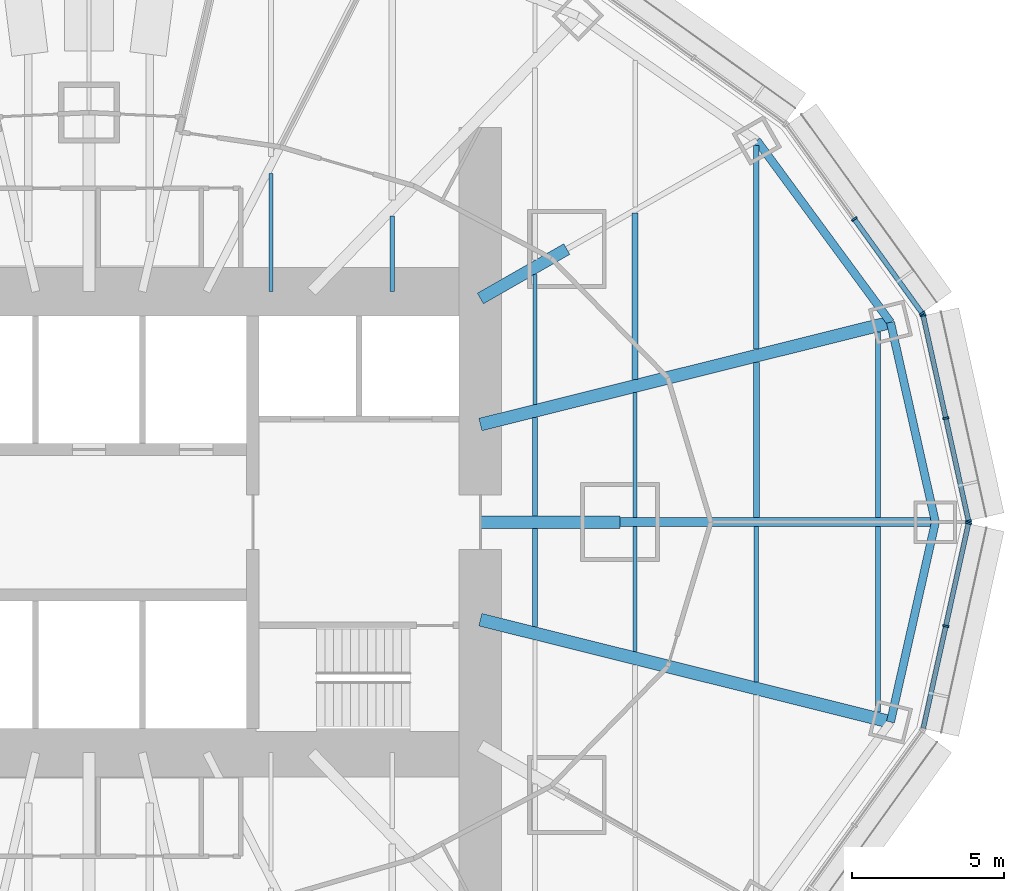
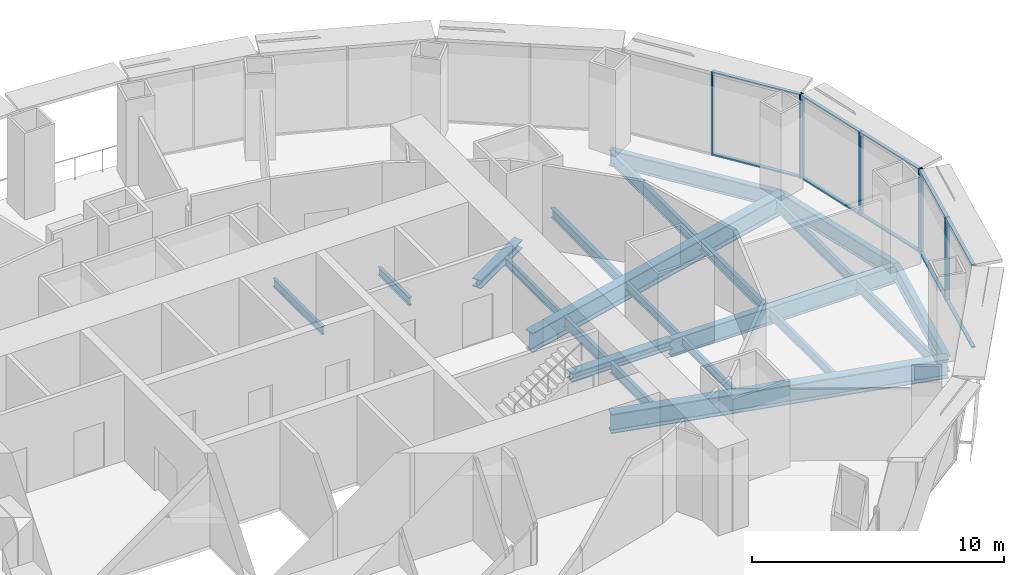
# One storey, part 6 of 17: 21 beams, 17 members, 3 elements without a shape of their own.
"""IFC4 building model written with IfcOpenShell, lengths in metres."""

from ifc_helpers import new_model, si_unit, direction, frame, origin, origin_2d, place, context, subcontext, project, spatial, rectangle, i_section, extrude, material, material_profile, profile_set, type_object, element, aggregate, save


model = new_model("IFC4")

# Units and contexts
model_context = context("Model", 3, precision=1e-05, world=origin(), true_north=direction((0.0, 1.0)))
body_context = subcontext(model_context, "Body", "Model", "MODEL_VIEW")
ifc_project = project(units=[si_unit("LENGTHUNIT", "METRE"), si_unit("AREAUNIT", "SQUARE_METRE"), si_unit("VOLUMEUNIT", "CUBIC_METRE"), si_unit("PLANEANGLEUNIT", "RADIAN"), si_unit("MASSUNIT", "GRAM", prefix="KILO")], contexts=[model_context])

# Site, building, storey
site_placement = place(None, origin())
site = spatial("IfcSite", under=ifc_project, at=site_placement, CompositionType="ELEMENT")
building_placement = place(site_placement, origin())
building = spatial("IfcBuilding", under=site, at=building_placement, Name="Lantaw Convention Tower", CompositionType="ELEMENT")
storey_placement = place(building_placement, frame((0.0, 0.0, 151.0)))
storey = spatial("IfcBuildingStorey", under=building, at=storey_placement, Name="L35", CompositionType="ELEMENT", Elevation=151.0)

# Beams
ifc_material_1 = material(Name="Steel ASTM A992", Category="steel")
ifc_material_profile_1 = material_profile(ifc_material_1, i_section(OverallWidth=0.2666015625, OverallDepth=0.76953125, WebThickness=0.015625, FlangeThickness=0.025390625, FilletRadius=0.0126953125, at=origin_2d()), Name="W30X132")
ifc_profile_set_1 = profile_set([ifc_material_profile_1], Name="Steel ASTM A992")
beam_type_1 = type_object("IfcBeamType", Name="Beam E W30X132", PredefinedType="SPANDREL", material=ifc_profile_set_1)
beam_1_placement = place(storey_placement, frame((27.89990234375, 0.0, -0.534912109375), z_axis=(-0.219211877447, 0.975677279015, 0.0), x_axis=(-0.975677279015, -0.219211877447, 0.0)))
element("IfcBeam", 1, at=beam_1_placement, inside=storey, type_object=beam_type_1, Name="Edge beam 1", PredefinedType="SPANDREL", context=body_context, shape_type="SweptSolid", body=[
    extrude(i_section(OverallWidth=0.2666015625, OverallDepth=0.76953125, WebThickness=0.015625, FlangeThickness=0.025390625, FilletRadius=0.0126953125, at=origin_2d()), origin(), (0.0, 0.0, 1.0), 6.75146484375),
])
beam_2_placement = place(storey_placement, frame((26.419921875, 6.587158203125, -0.534912109375), z_axis=(-0.5923891972, 0.805651934176, 0.0), x_axis=(-0.805651934176, -0.5923891972, 0.0)))
element("IfcBeam", 2, at=beam_2_placement, inside=storey, type_object=beam_type_1, Name="Edge beam 2", PredefinedType="SPANDREL", context=body_context, shape_type="SweptSolid", body=[
    extrude(i_section(OverallWidth=0.2666015625, OverallDepth=0.76953125, WebThickness=0.015625, FlangeThickness=0.025390625, FilletRadius=0.0126953125, at=origin_2d()), origin(), (0.0, 0.0, 1.0), 7.437744140625),
])
beam_3_placement = place(storey_placement, frame((26.419921875, -6.587158203125, -0.534912109375), z_axis=(0.219211877447, 0.975677279015, 0.0), x_axis=(-0.975677279015, 0.219211877447, 0.0)))
element("IfcBeam", 3, at=beam_3_placement, inside=storey, type_object=beam_type_1, Name="Edge beam 24", PredefinedType="SPANDREL", context=body_context, shape_type="SweptSolid", body=[
    extrude(i_section(OverallWidth=0.2666015625, OverallDepth=0.76953125, WebThickness=0.015625, FlangeThickness=0.025390625, FilletRadius=0.0126953125, at=origin_2d()), origin(), (0.0, 0.0, 1.0), 6.75146484375),
])
ifc_material_profile_2 = material_profile(ifc_material_1, i_section(OverallWidth=0.2919921875, OverallDepth=0.845703125, WebThickness=0.015380859375, FlangeThickness=0.0244140625, FilletRadius=0.01513671875, at=origin_2d()), Name="W33X141")
ifc_profile_set_2 = profile_set([ifc_material_profile_2], Name="Steel ASTM A992")
beam_type_2 = type_object("IfcBeamType", Name="Beam G W33X141", PredefinedType="BEAM", material=ifc_profile_set_2)
beam_4_placement = place(storey_placement, frame((17.5, 0.0, -0.572998046875), z_axis=(1.0, 0.0, 0.0), x_axis=(0.0, 1.0, 0.0)))
element("IfcBeam", 4, at=beam_4_placement, inside=storey, type_object=beam_type_2, Name="Floor girder on ray 1", PredefinedType="BEAM", context=body_context, shape_type="SweptSolid", body=[
    extrude(i_section(OverallWidth=0.2919921875, OverallDepth=0.845703125, WebThickness=0.015380859375, FlangeThickness=0.0244140625, FilletRadius=0.01513671875, at=origin_2d()), origin(), (0.0, 0.0, 1.0), 10.39990234375),
])
ifc_material_profile_3 = material_profile(ifc_material_1, i_section(OverallWidth=0.421630859375, OverallDepth=0.937255859375, WebThickness=0.0224609375, FlangeThickness=0.039794921875, FilletRadius=0.02001953125, at=origin_2d()), Name="W36X282")
ifc_profile_set_3 = profile_set([ifc_material_profile_3], Name="Steel ASTM A992")
beam_type_3 = type_object("IfcBeamType", Name="Beam G W36X282", PredefinedType="BEAM", material=ifc_profile_set_3)
for number, where, z_axis, x_axis, name in (
    (5, (12.89990234375, 3.21630859375, -0.61865234375), (0.970296903132, 0.24191717544, 0.0), (-0.24191717544, 0.970296903132, 0.0), "Floor girder on ray 2"),
    (6, (12.89990234375, -3.21630859375, -0.61865234375), (0.970296903132, -0.24191717544, 0.0), (0.24191717544, 0.970296903132, 0.0), "Floor girder on ray 24"),
):
    element("IfcBeam", number, at=place(storey_placement, frame(where, z_axis=z_axis, x_axis=x_axis)), inside=storey, type_object=beam_type_3, Name=name, PredefinedType="BEAM", context=body_context, shape_type="SweptSolid", body=[
        extrude(i_section(OverallWidth=0.421630859375, OverallDepth=0.937255859375, WebThickness=0.0224609375, FlangeThickness=0.039794921875, FilletRadius=0.02001953125, at=origin_2d()), origin(), (0.0, 0.0, 1.0), 13.933837890625),
    ])
ifc_material_profile_4 = material_profile(ifc_material_1, i_section(OverallWidth=0.40380859375, OverallDepth=0.406494140625, WebThickness=0.027099609375, FlangeThickness=0.043701171875, FilletRadius=0.01513671875, at=origin_2d()), Name="W14X233")
ifc_profile_set_4 = profile_set([ifc_material_profile_4], Name="Steel ASTM A992")
beam_type_4 = type_object("IfcBeamType", Name="Beam GM W14X233", PredefinedType="BEAM", material=ifc_profile_set_4)
beam_5_placement = place(storey_placement, frame((12.89990234375, 0.0, -0.353271484375), z_axis=(1.0, 0.0, 0.0), x_axis=(0.0, 1.0, 0.0)))
element("IfcBeam", 7, at=beam_5_placement, inside=storey, type_object=beam_type_4, Name="Core link beam on ray 1", PredefinedType="BEAM", context=body_context, shape_type="SweptSolid", body=[
    extrude(i_section(OverallWidth=0.40380859375, OverallDepth=0.406494140625, WebThickness=0.027099609375, FlangeThickness=0.043701171875, FilletRadius=0.01513671875, at=origin_2d()), origin(), (0.0, 0.0, 1.0), 4.60009765625),
])
beam_6_placement = place(storey_placement, frame((12.89990234375, 7.371337890625, -0.353271484375), z_axis=(0.868238565244, 0.496146947811, 0.0), x_axis=(-0.496146947811, 0.868238565244, 0.0)))
element("IfcBeam", 8, at=beam_6_placement, inside=storey, type_object=beam_type_4, Name="Core link beam on ray 3", PredefinedType="BEAM", context=body_context, shape_type="SweptSolid", body=[
    extrude(i_section(OverallWidth=0.40380859375, OverallDepth=0.406494140625, WebThickness=0.027099609375, FlangeThickness=0.043701171875, FilletRadius=0.01513671875, at=origin_2d()), origin(), (0.0, 0.0, 1.0), 3.28271484375),
])
ifc_material_profile_5 = material_profile(ifc_material_1, i_section(OverallWidth=0.140380859375, OverallDepth=0.40380859375, WebThickness=0.007080078125, FlangeThickness=0.01123046875, FilletRadius=0.01025390625, at=origin_2d()), Name="W16X31")
ifc_profile_set_5 = profile_set([ifc_material_profile_5], Name="Steel ASTM A992")
beam_type_5 = type_object("IfcBeamType", Name="Beam J W16X31", PredefinedType="JOIST", material=ifc_profile_set_5)
beam_7_placement = place(storey_placement, frame((6.0, 7.60009765625, -0.35205078125), z_axis=(0.0, 1.0, 0.0), x_axis=(-1.0, 0.0, 0.0)))
element("IfcBeam", 9, at=beam_7_placement, inside=storey, type_object=beam_type_5, Name="Floor joist", PredefinedType="JOIST", context=body_context, shape_type="SweptSolid", body=[
    extrude(i_section(OverallWidth=0.140380859375, OverallDepth=0.40380859375, WebThickness=0.007080078125, FlangeThickness=0.01123046875, FilletRadius=0.01025390625, at=origin_2d()), origin(), (0.0, 0.0, 1.0), 3.895751953125),
])
beam_8_placement = place(storey_placement, frame((10.0, 7.60009765625, -0.35205078125), z_axis=(0.0, 1.0, 0.0), x_axis=(-1.0, 0.0, 0.0)))
element("IfcBeam", 10, at=beam_8_placement, inside=storey, type_object=beam_type_5, Name="Floor joist", PredefinedType="JOIST", context=body_context, shape_type="SweptSolid", body=[
    extrude(i_section(OverallWidth=0.140380859375, OverallDepth=0.40380859375, WebThickness=0.007080078125, FlangeThickness=0.01123046875, FilletRadius=0.01025390625, at=origin_2d()), origin(), (0.0, 0.0, 1.0), 2.49560546875),
])
beam_9_placement = place(storey_placement, frame((14.699951171875, 3.88232421875, -0.35205078125), z_axis=(0.0, 1.0, 0.0), x_axis=(-1.0, 0.0, 0.0)))
element("IfcBeam", 11, at=beam_9_placement, inside=storey, type_object=beam_type_5, Name="Floor joist", PredefinedType="JOIST", context=body_context, shape_type="SweptSolid", body=[
    extrude(i_section(OverallWidth=0.140380859375, OverallDepth=0.40380859375, WebThickness=0.007080078125, FlangeThickness=0.01123046875, FilletRadius=0.01025390625, at=origin_2d()), origin(), (0.0, 0.0, 1.0), 4.28515625),
])
for number, where, z_axis, x_axis, name in (
    (12, (18.0, -4.270751953125, -0.35205078125), (0.0, 1.0, 0.0), (-1.0, 0.0, 0.0), "Floor joist"),
    (13, (18.0, 0.14599609375, -0.35205078125), (0.0, 1.0, 0.0), (-1.0, 0.0, 0.0), "Floor joist"),
):
    element("IfcBeam", number, at=place(storey_placement, frame(where, z_axis=z_axis, x_axis=x_axis)), inside=storey, type_object=beam_type_5, Name=name, PredefinedType="JOIST", context=body_context, shape_type="SweptSolid", body=[
        extrude(i_section(OverallWidth=0.140380859375, OverallDepth=0.40380859375, WebThickness=0.007080078125, FlangeThickness=0.01123046875, FilletRadius=0.01025390625, at=origin_2d()), origin(), (0.0, 0.0, 1.0), 4.124755859375),
    ])
ifc_material_profile_6 = material_profile(ifc_material_1, i_section(OverallWidth=0.15234375, OverallDepth=0.449462890625, WebThickness=0.007568359375, FlangeThickness=0.0107421875, FilletRadius=0.01025390625, at=origin_2d()), Name="W18X35")
ifc_profile_set_6 = profile_set([ifc_material_profile_6], Name="Steel ASTM A992")
beam_type_6 = type_object("IfcBeamType", Name="Beam J W18X35", PredefinedType="JOIST", material=ifc_profile_set_6)
beam_10_placement = place(storey_placement, frame((22.0, -5.267822265625, -0.374755859375), z_axis=(0.0, 1.0, 0.0), x_axis=(-1.0, 0.0, 0.0)))
element("IfcBeam", 14, at=beam_10_placement, inside=storey, type_object=beam_type_6, Name="Floor joist", PredefinedType="JOIST", context=body_context, shape_type="SweptSolid", body=[
    extrude(i_section(OverallWidth=0.15234375, OverallDepth=0.449462890625, WebThickness=0.007568359375, FlangeThickness=0.0107421875, FilletRadius=0.01025390625, at=origin_2d()), origin(), (0.0, 0.0, 1.0), 5.121826171875),
])
ifc_material_profile_7 = material_profile(ifc_material_1, i_section(OverallWidth=0.1904296875, OverallDepth=0.457275390625, WebThickness=0.009033203125, FlangeThickness=0.014404296875, FilletRadius=0.01025390625, at=origin_2d()), Name="W18X50")
ifc_profile_set_7 = profile_set([ifc_material_profile_7], Name="Steel ASTM A992")
beam_type_7 = type_object("IfcBeamType", Name="Beam J W18X50", PredefinedType="JOIST", material=ifc_profile_set_7)
beam_11_placement = place(storey_placement, frame((18.0, 4.705078125, -0.378662109375), z_axis=(0.0, 1.0, 0.0), x_axis=(-1.0, 0.0, 0.0)))
element("IfcBeam", 15, at=beam_11_placement, inside=storey, type_object=beam_type_7, Name="Floor joist", PredefinedType="JOIST", context=body_context, shape_type="SweptSolid", body=[
    extrude(i_section(OverallWidth=0.1904296875, OverallDepth=0.457275390625, WebThickness=0.009033203125, FlangeThickness=0.014404296875, FilletRadius=0.01025390625, at=origin_2d()), origin(), (0.0, 0.0, 1.0), 5.47802734375),
])
beam_12_placement = place(storey_placement, frame((22.0, 0.14599609375, -0.378662109375), z_axis=(0.0, 1.0, 0.0), x_axis=(-1.0, 0.0, 0.0)))
element("IfcBeam", 16, at=beam_12_placement, inside=storey, type_object=beam_type_7, Name="Floor joist", PredefinedType="JOIST", context=body_context, shape_type="SweptSolid", body=[
    extrude(i_section(OverallWidth=0.1904296875, OverallDepth=0.457275390625, WebThickness=0.009033203125, FlangeThickness=0.014404296875, FilletRadius=0.01025390625, at=origin_2d()), origin(), (0.0, 0.0, 1.0), 5.121826171875),
])
ifc_material_profile_8 = material_profile(ifc_material_1, i_section(OverallWidth=0.1650390625, OverallDepth=0.52587890625, WebThickness=0.0087890625, FlangeThickness=0.011474609375, FilletRadius=0.0126953125, at=origin_2d()), Name="W21X44")
ifc_profile_set_8 = profile_set([ifc_material_profile_8], Name="Steel ASTM A992")
beam_type_8 = type_object("IfcBeamType", Name="Beam J W21X44", PredefinedType="JOIST", material=ifc_profile_set_8)
for number, where, z_axis, x_axis, name in (
    (17, (26.0, -6.26513671875, -0.412841796875), (0.0, 1.0, 0.0), (-1.0, 0.0, 0.0), "Floor joist"),
    (18, (26.0, 0.14599609375, -0.412841796875), (0.0, 1.0, 0.0), (-1.0, 0.0, 0.0), "Floor joist"),
):
    element("IfcBeam", number, at=place(storey_placement, frame(where, z_axis=z_axis, x_axis=x_axis)), inside=storey, type_object=beam_type_8, Name=name, PredefinedType="JOIST", context=body_context, shape_type="SweptSolid", body=[
        extrude(i_section(OverallWidth=0.1650390625, OverallDepth=0.52587890625, WebThickness=0.0087890625, FlangeThickness=0.011474609375, FilletRadius=0.0126953125, at=origin_2d()), origin(), (0.0, 0.0, 1.0), 6.119140625),
    ])
ifc_material_profile_9 = material_profile(ifc_material_1, i_section(OverallWidth=0.165771484375, OverallDepth=0.5283203125, WebThickness=0.009765625, FlangeThickness=0.013671875, FilletRadius=0.012939453125, at=origin_2d()), Name="W21X50")
ifc_profile_set_9 = profile_set([ifc_material_profile_9], Name="Steel ASTM A992")
beam_type_9 = type_object("IfcBeamType", Name="Beam J W21X50", PredefinedType="JOIST", material=ifc_profile_set_9)
for number, where, z_axis, x_axis, name in (
    (19, (14.699951171875, -3.44775390625, -0.4140625), (0.0, 1.0, 0.0), (-1.0, 0.0, 0.0), "Floor joist"),
    (20, (14.699951171875, 0.201904296875, -0.4140625), (0.0, 1.0, 0.0), (-1.0, 0.0, 0.0), "Floor joist"),
):
    element("IfcBeam", number, at=place(storey_placement, frame(where, z_axis=z_axis, x_axis=x_axis)), inside=storey, type_object=beam_type_9, Name=name, PredefinedType="JOIST", context=body_context, shape_type="SweptSolid", body=[
        extrude(i_section(OverallWidth=0.165771484375, OverallDepth=0.5283203125, WebThickness=0.009765625, FlangeThickness=0.013671875, FilletRadius=0.012939453125, at=origin_2d()), origin(), (0.0, 0.0, 1.0), 3.245849609375),
    ])
ifc_material_profile_10 = material_profile(ifc_material_1, i_section(OverallWidth=0.177978515625, OverallDepth=0.599365234375, WebThickness=0.010009765625, FlangeThickness=0.012939453125, FilletRadius=0.012939453125, at=origin_2d()), Name="W24X55")
ifc_profile_set_10 = profile_set([ifc_material_profile_10], Name="Steel ASTM A992")
beam_type_10 = type_object("IfcBeamType", Name="Beam J W24X55", PredefinedType="JOIST", material=ifc_profile_set_10)
beam_13_placement = place(storey_placement, frame((22.0, 5.702392578125, -0.44970703125), z_axis=(0.0, 1.0, 0.0), x_axis=(-1.0, 0.0, 0.0)))
element("IfcBeam", 21, at=beam_13_placement, inside=storey, type_object=beam_type_10, Name="Floor joist", PredefinedType="JOIST", context=body_context, shape_type="SweptSolid", body=[
    extrude(i_section(OverallWidth=0.177978515625, OverallDepth=0.599365234375, WebThickness=0.010009765625, FlangeThickness=0.012939453125, FilletRadius=0.012939453125, at=origin_2d()), origin(), (0.0, 0.0, 1.0), 6.70654296875),
])

# Curtain wall, members
ifc_material_2 = material(Name="Aluminium framed curtain wall", Category="aluminium")
curtain_wall_type = type_object("IfcCurtainWallType", Name="Office curtain wall low rise, pale aluminium", PredefinedType="USERDEFINED", material=ifc_material_2)
curtain_wall_1_placement = place(storey_placement, origin())
curtain_wall_1 = element("IfcCurtainWall", 22, at=curtain_wall_1_placement, inside=storey, type_object=curtain_wall_type, Name="Office curtain wall low rise, pale aluminium L35", ObjectType="UNITISED CURTAIN WALL", PredefinedType="USERDEFINED")
ifc_material_3 = material(Name="Aluminium 6063-T6", Category="aluminium")
ifc_material_profile_11 = material_profile(ifc_material_3, rectangle(XDim=0.199951171875, YDim=0.06494140625, at=origin_2d()), Name="CW-O1 mullion 65x200")
ifc_profile_set_11 = profile_set([ifc_material_profile_11], Name="Aluminium 6063-T6")
member_type_1 = type_object("IfcMemberType", Name="CW-O1 mullion 65x200", PredefinedType="MULLION", material=ifc_profile_set_11)
member_1_placement = place(storey_placement, frame((28.992919921875, 0.03173828125, 0.0), z_axis=(0.0, 0.0, 1.0), x_axis=(-0.9764936509, -0.215546166174, 0.0)))
member_1 = element("IfcMember", 23, at=member_1_placement, type_object=member_type_1, Name="CW-O1 mullion 1", PredefinedType="MULLION", context=body_context, shape_type="SweptSolid", body=[
    extrude(rectangle(XDim=0.199951171875, YDim=0.06494140625, at=origin_2d()), origin(), (0.0, 0.0, 1.0), 4.050048828125),
])
member_2_placement = place(storey_placement, frame((28.24365234375, 3.4267578125, 0.0), z_axis=(0.0, 0.0, 1.0), x_axis=(-0.9764936509, -0.215546166174, 0.0)))
member_2 = element("IfcMember", 24, at=member_2_placement, type_object=member_type_1, Name="CW-O1 mullion 2", PredefinedType="MULLION", context=body_context, shape_type="SweptSolid", body=[
    extrude(rectangle(XDim=0.199951171875, YDim=0.06494140625, at=origin_2d()), origin(), (0.0, 0.0, 1.0), 4.050048828125),
])
member_3_placement = place(storey_placement, frame((27.494140625, 6.821533203125, 0.0), z_axis=(0.0, 0.0, 1.0), x_axis=(-0.9764936509, -0.215546166174, 0.0)))
member_3 = element("IfcMember", 25, at=member_3_placement, type_object=member_type_1, Name="CW-O1 mullion 3", PredefinedType="MULLION", context=body_context, shape_type="SweptSolid", body=[
    extrude(rectangle(XDim=0.199951171875, YDim=0.06494140625, at=origin_2d()), origin(), (0.0, 0.0, 1.0), 4.050048828125),
])

curtain_wall_2_placement = place(storey_placement, origin())
curtain_wall_2 = element("IfcCurtainWall", 26, at=curtain_wall_2_placement, inside=storey, type_object=curtain_wall_type, Name="Office curtain wall low rise, pale aluminium L35", ObjectType="UNITISED CURTAIN WALL", PredefinedType="USERDEFINED")
member_4_placement = place(storey_placement, frame((27.46826171875, 6.879638671875, 0.0), z_axis=(0.0, 0.0, 1.0), x_axis=(-0.811384633629, -0.584512597221, 0.0)))
member_4 = element("IfcMember", 27, at=member_4_placement, type_object=member_type_1, Name="CW-O1 mullion 1", PredefinedType="MULLION", context=body_context, shape_type="SweptSolid", body=[
    extrude(rectangle(XDim=0.199951171875, YDim=0.06494140625, at=origin_2d()), origin(), (0.0, 0.0, 1.0), 4.050048828125),
])
member_5_placement = place(storey_placement, frame((25.22802734375, 9.9892578125, 0.0), z_axis=(0.0, 0.0, 1.0), x_axis=(-0.811384633629, -0.584512597221, 0.0)))
member_5 = element("IfcMember", 28, at=member_5_placement, type_object=member_type_1, Name="CW-O1 mullion 2", PredefinedType="MULLION", context=body_context, shape_type="SweptSolid", body=[
    extrude(rectangle(XDim=0.199951171875, YDim=0.06494140625, at=origin_2d()), origin(), (0.0, 0.0, 1.0), 4.050048828125),
])

curtain_wall_3_placement = place(storey_placement, origin())
curtain_wall_3 = element("IfcCurtainWall", 29, at=curtain_wall_3_placement, inside=storey, type_object=curtain_wall_type, Name="Office curtain wall low rise, pale aluminium L35", ObjectType="UNITISED CURTAIN WALL", PredefinedType="USERDEFINED")
member_6_placement = place(storey_placement, frame((28.24365234375, -3.4267578125, 0.0), z_axis=(0.0, 0.0, 1.0), x_axis=(-0.9764936509, 0.215546166174, 0.0)))
member_6 = element("IfcMember", 30, at=member_6_placement, type_object=member_type_1, Name="CW-O1 mullion 2", PredefinedType="MULLION", context=body_context, shape_type="SweptSolid", body=[
    extrude(rectangle(XDim=0.199951171875, YDim=0.06494140625, at=origin_2d()), origin(), (0.0, 0.0, 1.0), 4.050048828125),
])
member_7_placement = place(storey_placement, frame((28.992919921875, -0.03173828125, 0.0), z_axis=(0.0, 0.0, 1.0), x_axis=(-0.9764936509, 0.215546166174, 0.0)))
member_7 = element("IfcMember", 31, at=member_7_placement, type_object=member_type_1, Name="CW-O1 mullion 3", PredefinedType="MULLION", context=body_context, shape_type="SweptSolid", body=[
    extrude(rectangle(XDim=0.199951171875, YDim=0.06494140625, at=origin_2d()), origin(), (0.0, 0.0, 1.0), 4.050048828125),
])

# Member
ifc_material_profile_12 = material_profile(ifc_material_3, rectangle(XDim=0.159912109375, YDim=0.06494140625, at=origin_2d()), Name="CW-O1 transom 65x160")
ifc_profile_set_12 = profile_set([ifc_material_profile_12], Name="Aluminium 6063-T6")
member_type_2 = type_object("IfcMemberType", Name="CW-O1 transom 65x160", PredefinedType="USERDEFINED", material=ifc_profile_set_12)
member_8_placement = place(storey_placement, frame((28.986083984375, 0.0634765625, 0.032470703125), z_axis=(-0.215536096386, 0.976495873598, 0.0), x_axis=(-0.976495873598, -0.215536096386, 0.0)))
member_8 = element("IfcMember", 32, at=member_8_placement, type_object=member_type_2, Name="CW-O1 transom 1.1", ObjectType="TRANSOM", PredefinedType="USERDEFINED", context=body_context, shape_type="SweptSolid", body=[
    extrude(rectangle(XDim=0.159912109375, YDim=0.06494140625, at=origin_2d()), origin(), (0.0, 0.0, 1.0), 3.41162109375),
])

member_9_placement = place(storey_placement, frame((28.986083984375, 0.0634765625, 4.017578125), z_axis=(-0.215536096386, 0.976495873598, 0.0), x_axis=(-0.976495873598, -0.215536096386, 0.0)))
member_9 = element("IfcMember", 33, at=member_9_placement, type_object=member_type_2, Name="CW-O1 transom 1.2", ObjectType="TRANSOM", PredefinedType="USERDEFINED", context=body_context, shape_type="SweptSolid", body=[
    extrude(rectangle(XDim=0.159912109375, YDim=0.06494140625, at=origin_2d()), origin(), (0.0, 0.0, 1.0), 3.41162109375),
])

member_10_placement = place(storey_placement, frame((28.236572265625, 3.45849609375, 0.032470703125), z_axis=(-0.21555115847, 0.976492548913, 0.0), x_axis=(-0.976492548913, -0.21555115847, 0.0)))
member_10 = element("IfcMember", 34, at=member_10_placement, type_object=member_type_2, Name="CW-O1 transom 2.1", ObjectType="TRANSOM", PredefinedType="USERDEFINED", context=body_context, shape_type="SweptSolid", body=[
    extrude(rectangle(XDim=0.159912109375, YDim=0.06494140625, at=origin_2d()), origin(), (0.0, 0.0, 1.0), 3.411376953125),
])

member_11_placement = place(storey_placement, frame((28.236572265625, 3.45849609375, 4.017578125), z_axis=(-0.21555115847, 0.976492548913, 0.0), x_axis=(-0.976492548913, -0.21555115847, 0.0)))
member_11 = element("IfcMember", 35, at=member_11_placement, type_object=member_type_2, Name="CW-O1 transom 2.2", ObjectType="TRANSOM", PredefinedType="USERDEFINED", context=body_context, shape_type="SweptSolid", body=[
    extrude(rectangle(XDim=0.159912109375, YDim=0.06494140625, at=origin_2d()), origin(), (0.0, 0.0, 1.0), 3.411376953125),
])

aggregate(curtain_wall_1, [member_1, member_2, member_3, member_8, member_9, member_10, member_11])

member_12_placement = place(storey_placement, frame((27.44921875, 6.906005859375, 0.032470703125), z_axis=(-0.584512973979, 0.811384362217, 0.0), x_axis=(-0.811384362217, -0.584512973979, 0.0)))
member_12 = element("IfcMember", 36, at=member_12_placement, type_object=member_type_2, Name="CW-O1 transom 1.1", ObjectType="TRANSOM", PredefinedType="USERDEFINED", context=body_context, shape_type="SweptSolid", body=[
    extrude(rectangle(XDim=0.159912109375, YDim=0.06494140625, at=origin_2d()), origin(), (0.0, 0.0, 1.0), 3.767578125),
])

member_13_placement = place(storey_placement, frame((27.44921875, 6.906005859375, 4.017578125), z_axis=(-0.584512973979, 0.811384362217, 0.0), x_axis=(-0.811384362217, -0.584512973979, 0.0)))
member_13 = element("IfcMember", 37, at=member_13_placement, type_object=member_type_2, Name="CW-O1 transom 1.2", ObjectType="TRANSOM", PredefinedType="USERDEFINED", context=body_context, shape_type="SweptSolid", body=[
    extrude(rectangle(XDim=0.159912109375, YDim=0.06494140625, at=origin_2d()), origin(), (0.0, 0.0, 1.0), 3.767578125),
])

aggregate(curtain_wall_2, [member_4, member_5, member_12, member_13])

member_14_placement = place(storey_placement, frame((27.501220703125, -6.789794921875, 0.032470703125), z_axis=(0.21555115847, 0.976492548913, 0.0), x_axis=(-0.976492548913, 0.21555115847, 0.0)))
member_14 = element("IfcMember", 38, at=member_14_placement, type_object=member_type_2, Name="CW-O1 transom 1.1", ObjectType="TRANSOM", PredefinedType="USERDEFINED", context=body_context, shape_type="SweptSolid", body=[
    extrude(rectangle(XDim=0.159912109375, YDim=0.06494140625, at=origin_2d()), origin(), (0.0, 0.0, 1.0), 3.411376953125),
])

member_15_placement = place(storey_placement, frame((27.501220703125, -6.789794921875, 4.017578125), z_axis=(0.21555115847, 0.976492548913, 0.0), x_axis=(-0.976492548913, 0.21555115847, 0.0)))
member_15 = element("IfcMember", 39, at=member_15_placement, type_object=member_type_2, Name="CW-O1 transom 1.2", ObjectType="TRANSOM", PredefinedType="USERDEFINED", context=body_context, shape_type="SweptSolid", body=[
    extrude(rectangle(XDim=0.159912109375, YDim=0.06494140625, at=origin_2d()), origin(), (0.0, 0.0, 1.0), 3.411376953125),
])

member_16_placement = place(storey_placement, frame((28.250732421875, -3.39501953125, 0.032470703125), z_axis=(0.215536096386, 0.976495873598, 0.0), x_axis=(-0.976495873598, 0.215536096386, 0.0)))
member_16 = element("IfcMember", 40, at=member_16_placement, type_object=member_type_2, Name="CW-O1 transom 2.1", ObjectType="TRANSOM", PredefinedType="USERDEFINED", context=body_context, shape_type="SweptSolid", body=[
    extrude(rectangle(XDim=0.159912109375, YDim=0.06494140625, at=origin_2d()), origin(), (0.0, 0.0, 1.0), 3.41162109375),
])

member_17_placement = place(storey_placement, frame((28.250732421875, -3.39501953125, 4.017578125), z_axis=(0.215536096386, 0.976495873598, 0.0), x_axis=(-0.976495873598, 0.215536096386, 0.0)))
member_17 = element("IfcMember", 41, at=member_17_placement, type_object=member_type_2, Name="CW-O1 transom 2.2", ObjectType="TRANSOM", PredefinedType="USERDEFINED", context=body_context, shape_type="SweptSolid", body=[
    extrude(rectangle(XDim=0.159912109375, YDim=0.06494140625, at=origin_2d()), origin(), (0.0, 0.0, 1.0), 3.41162109375),
])

aggregate(curtain_wall_3, [member_6, member_7, member_14, member_15, member_16, member_17])

save(model, "model.ifc")
